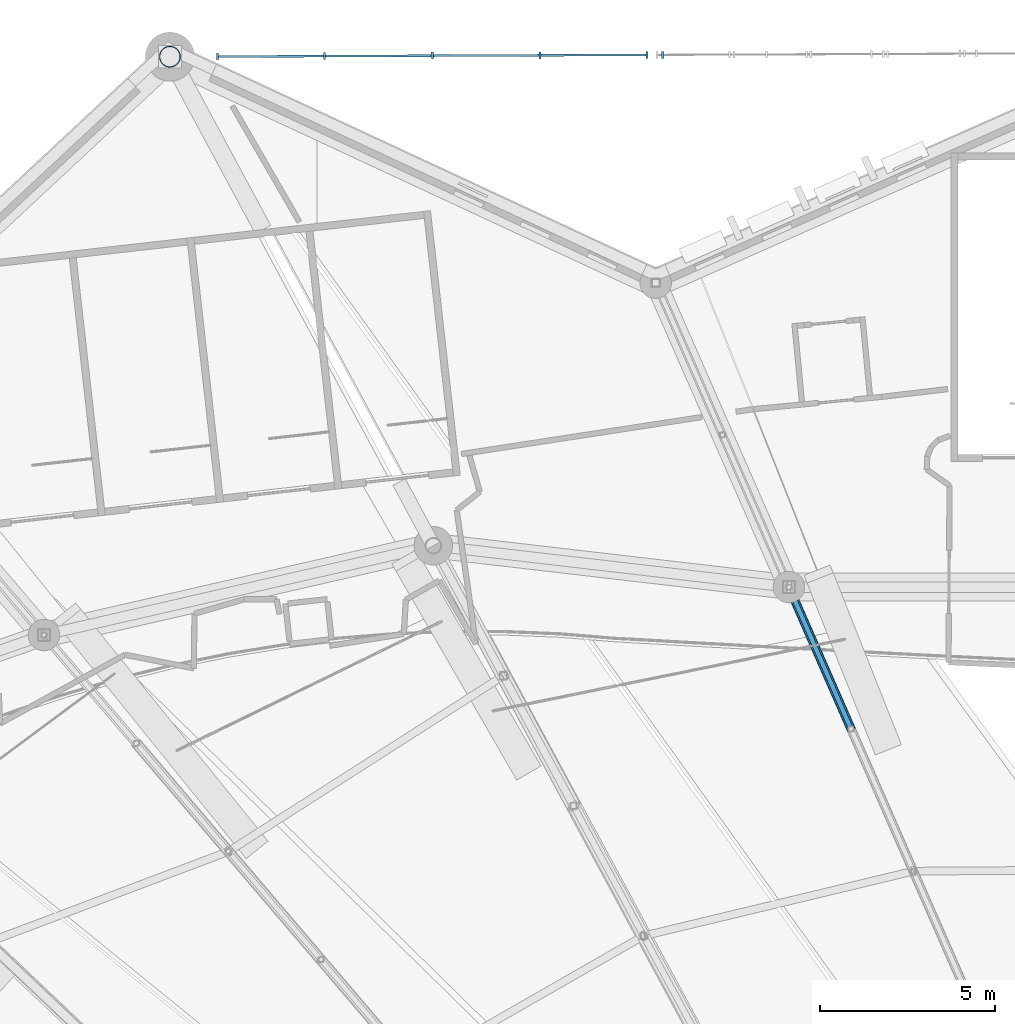
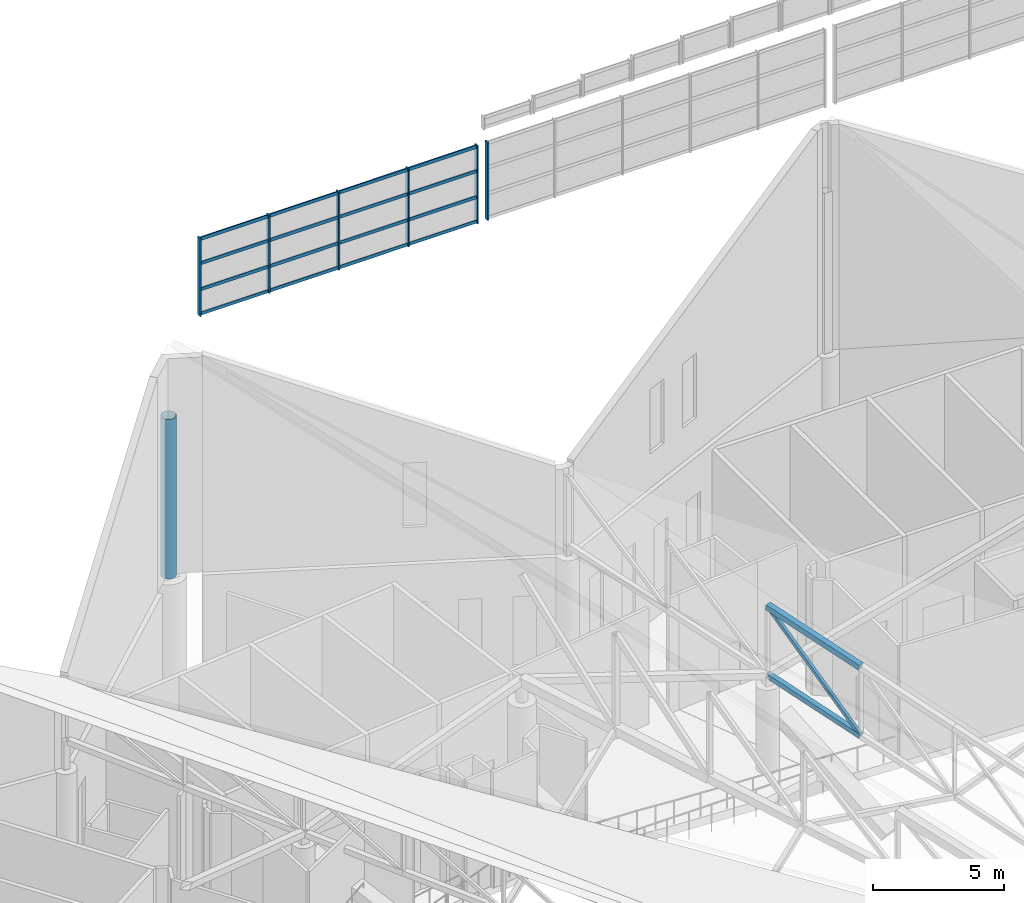
# One storey, part 162 of 344: 26 members, 2 elements without a shape of their own.
"""IFC4 building model written with IfcOpenShell, lengths in metres."""

from ifc_helpers import new_model, si_unit, direction, frame, origin, origin_2d, place, context, subcontext, project, spatial, rectangle, hollow_rectangle, hollow_circle, extrude, material, layer, layer_set, material_profile, profile_set, type_object, element, aggregate, save


model = new_model("IFC4")

# Units and contexts
model_context = context("Model", 3, precision=1e-05, world=origin(), true_north=direction((0.0, 1.0)))
body_context = subcontext(model_context, "Body", "Model", "MODEL_VIEW")
ifc_project = project(units=[si_unit("LENGTHUNIT", "METRE"), si_unit("AREAUNIT", "SQUARE_METRE"), si_unit("VOLUMEUNIT", "CUBIC_METRE"), si_unit("PLANEANGLEUNIT", "RADIAN"), si_unit("MASSUNIT", "GRAM", prefix="KILO")], contexts=[model_context])

# Site, building, storey
site_placement = place(None, origin())
site = spatial("IfcSite", under=ifc_project, at=site_placement, CompositionType="ELEMENT")
building_placement = place(site_placement, origin())
building = spatial("IfcBuilding", under=site, at=building_placement, Name="Meseta Stadium", CompositionType="ELEMENT")
storey_placement = place(building_placement, frame((0.0, 0.0, 24.0)))
storey = spatial("IfcBuildingStorey", under=building, at=storey_placement, Name="L04", CompositionType="ELEMENT", Elevation=24.0)

# Member
ifc_material_1 = material(Name="Steel S355", Category="steel")
ifc_material_profile_1 = material_profile(ifc_material_1, hollow_circle(Radius=0.304931640625, WallThickness=0.02490234375, at=origin_2d()), Name="CHS 610x25")
ifc_profile_set_1 = profile_set([ifc_material_profile_1], Name="Steel S355")
member_type_1 = type_object("IfcMemberType", Name="CHS 610x25 pylon post", PredefinedType="POST", material=ifc_profile_set_1)
member_1_placement = place(storey_placement, frame((-52.202880859375, 105.0517578125, 6.0), z_axis=(0.0, 0.0, 1.0), x_axis=(1.0, 0.0, 0.0)))
element("IfcMember", 1, at=member_1_placement, inside=storey, type_object=member_type_1, Name="GABLE ARCH GA-N pylon post", PredefinedType="POST", context=body_context, shape_type="SweptSolid", body=[
    extrude(hollow_circle(Radius=0.304931640625, WallThickness=0.02490234375, at=origin_2d()), origin(), (0.0, 0.0, 1.0), 7.433837890625),
])

# Curtain wall, member
ifc_material_2 = material(Name="Aluminium", Category="aluminium")
ifc_layer = layer(ifc_material_2, 0.199951171875)
ifc_layer_set = layer_set([ifc_layer], Name="Gable glazing curtain wall")
curtain_wall_type = type_object("IfcCurtainWallType", Name="Gable glazing curtain wall", PredefinedType="NOTDEFINED", material=ifc_layer_set)
curtain_wall_1_placement = place(storey_placement, origin())
curtain_wall_1 = element("IfcCurtainWall", 2, at=curtain_wall_1_placement, inside=storey, type_object=curtain_wall_type, Name="Gable glazing north lower bay 05", PredefinedType="NOTDEFINED")
ifc_material_3 = material(Name="Aluminium", Category="aluminium")
ifc_material_profile_2 = material_profile(ifc_material_3, rectangle(XDim=0.199951171875, YDim=0.06005859375, at=origin_2d()), Name="CW 200x60")
ifc_profile_set_2 = profile_set([ifc_material_profile_2], Name="Aluminium")
member_type_2 = type_object("IfcMemberType", Name="CW mullion 60x200", PredefinedType="MULLION", material=ifc_profile_set_2)
member_2_placement = place(storey_placement, frame((-38.1328125, 105.105712890625, 17.60009765625), z_axis=(0.0, 0.0, 1.0), x_axis=(0.003847534216, -0.999992598213, 0.0)))
member_2 = element("IfcMember", 3, at=member_2_placement, type_object=member_type_2, Name="CWG mullion 6", PredefinedType="MULLION", context=body_context, shape_type="SweptSolid", body=[
    extrude(rectangle(XDim=0.199951171875, YDim=0.06005859375, at=origin_2d()), origin(), (0.0, 0.0, 1.0), 3.635009765625),
])
aggregate(curtain_wall_1, [member_2])

# Curtain wall, members
curtain_wall_2_placement = place(storey_placement, origin())
curtain_wall_2 = element("IfcCurtainWall", 4, at=curtain_wall_2_placement, inside=storey, type_object=curtain_wall_type, Name="Gable glazing north lower bay 06", PredefinedType="NOTDEFINED")
member_3_placement = place(storey_placement, frame((-38.583740234375, 105.10400390625, 17.60009765625), z_axis=(0.0, 0.0, 1.0), x_axis=(0.003847534233, -0.999992598213, 0.0)))
member_3 = element("IfcMember", 5, at=member_3_placement, type_object=member_type_2, Name="CWG mullion 1", PredefinedType="MULLION", context=body_context, shape_type="SweptSolid", body=[
    extrude(rectangle(XDim=0.199951171875, YDim=0.06005859375, at=origin_2d()), origin(), (0.0, 0.0, 1.0), 3.635009765625),
])
member_4_placement = place(storey_placement, frame((-41.633056640625, 105.09228515625, 17.60009765625), z_axis=(0.0, 0.0, 1.0), x_axis=(0.003847534233, -0.999992598213, 0.0)))
member_4 = element("IfcMember", 6, at=member_4_placement, type_object=member_type_2, Name="CWG mullion 2", PredefinedType="MULLION", context=body_context, shape_type="SweptSolid", body=[
    extrude(rectangle(XDim=0.199951171875, YDim=0.06005859375, at=origin_2d()), origin(), (0.0, 0.0, 1.0), 3.635009765625),
])
member_5_placement = place(storey_placement, frame((-44.71240234375, 105.08056640625, 17.60009765625), z_axis=(0.0, 0.0, 1.0), x_axis=(0.003847534233, -0.999992598213, 0.0)))
member_5 = element("IfcMember", 7, at=member_5_placement, type_object=member_type_2, Name="CWG mullion 3", PredefinedType="MULLION", context=body_context, shape_type="SweptSolid", body=[
    extrude(rectangle(XDim=0.199951171875, YDim=0.06005859375, at=origin_2d()), origin(), (0.0, 0.0, 1.0), 3.635009765625),
])
member_6_placement = place(storey_placement, frame((-47.79150390625, 105.068603515625, 17.60009765625), z_axis=(0.0, 0.0, 1.0), x_axis=(0.003847534233, -0.999992598213, 0.0)))
member_6 = element("IfcMember", 8, at=member_6_placement, type_object=member_type_2, Name="CWG mullion 4", PredefinedType="MULLION", context=body_context, shape_type="SweptSolid", body=[
    extrude(rectangle(XDim=0.199951171875, YDim=0.06005859375, at=origin_2d()), origin(), (0.0, 0.0, 1.0), 3.635009765625),
])
member_7_placement = place(storey_placement, frame((-50.8408203125, 105.056884765625, 17.60009765625), z_axis=(0.0, 0.0, 1.0), x_axis=(0.003847534233, -0.999992598213, 0.0)))
member_7 = element("IfcMember", 9, at=member_7_placement, type_object=member_type_2, Name="CWG mullion 5", PredefinedType="MULLION", context=body_context, shape_type="SweptSolid", body=[
    extrude(rectangle(XDim=0.199951171875, YDim=0.06005859375, at=origin_2d()), origin(), (0.0, 0.0, 1.0), 3.635009765625),
])
ifc_material_4 = material(Name="Aluminium", Category="aluminium")
ifc_material_profile_3 = material_profile(ifc_material_4, rectangle(XDim=0.06005859375, YDim=0.14990234375, at=origin_2d()), Name="CW 60x150")
ifc_profile_set_3 = profile_set([ifc_material_profile_3], Name="Aluminium")
member_type_3 = type_object("IfcMemberType", Name="CW transom 60x150", PredefinedType="USERDEFINED", material=ifc_profile_set_3)
member_8_placement = place(storey_placement, frame((-38.61376953125, 105.10400390625, 17.675048828125), z_axis=(-0.9999926326, -0.003838586551, 0.0), x_axis=(0.003838586551, -0.9999926326, 0.0)))
member_8 = element("IfcMember", 10, at=member_8_placement, type_object=member_type_3, Name="CWG transom 1.1", ObjectType="TRANSOM", PredefinedType="USERDEFINED", context=body_context, shape_type="SweptSolid", body=[
    extrude(rectangle(XDim=0.06005859375, YDim=0.14990234375, at=origin_2d()), origin(), (0.0, 0.0, 1.0), 2.9892578125),
])
member_9_placement = place(storey_placement, frame((-38.61376953125, 105.10400390625, 18.811767578125), z_axis=(-0.9999926326, -0.003838586551, 0.0), x_axis=(0.003838586551, -0.9999926326, 0.0)))
member_9 = element("IfcMember", 11, at=member_9_placement, type_object=member_type_3, Name="CWG transom 1.2", ObjectType="TRANSOM", PredefinedType="USERDEFINED", context=body_context, shape_type="SweptSolid", body=[
    extrude(rectangle(XDim=0.06005859375, YDim=0.14990234375, at=origin_2d()), origin(), (0.0, 0.0, 1.0), 2.9892578125),
])
member_10_placement = place(storey_placement, frame((-38.61376953125, 105.10400390625, 20.0234375), z_axis=(-0.9999926326, -0.003838586551, 0.0), x_axis=(0.003838586551, -0.9999926326, 0.0)))
member_10 = element("IfcMember", 12, at=member_10_placement, type_object=member_type_3, Name="CWG transom 1.3", ObjectType="TRANSOM", PredefinedType="USERDEFINED", context=body_context, shape_type="SweptSolid", body=[
    extrude(rectangle(XDim=0.06005859375, YDim=0.14990234375, at=origin_2d()), origin(), (0.0, 0.0, 1.0), 2.9892578125),
])
member_11_placement = place(storey_placement, frame((-38.61376953125, 105.10400390625, 21.159912109375), z_axis=(-0.9999926326, -0.003838586551, 0.0), x_axis=(0.003838586551, -0.9999926326, 0.0)))
member_11 = element("IfcMember", 13, at=member_11_placement, type_object=member_type_3, Name="CWG transom 1.4", ObjectType="TRANSOM", PredefinedType="USERDEFINED", context=body_context, shape_type="SweptSolid", body=[
    extrude(rectangle(XDim=0.06005859375, YDim=0.14990234375, at=origin_2d()), origin(), (0.0, 0.0, 1.0), 2.9892578125),
])
member_12_placement = place(storey_placement, frame((-41.6630859375, 105.09228515625, 17.675048828125), z_axis=(-0.999992467852, -0.003881267766, 0.0), x_axis=(0.003881267766, -0.999992467852, 0.0)))
member_12 = element("IfcMember", 14, at=member_12_placement, type_object=member_type_3, Name="CWG transom 2.1", ObjectType="TRANSOM", PredefinedType="USERDEFINED", context=body_context, shape_type="SweptSolid", body=[
    extrude(rectangle(XDim=0.06005859375, YDim=0.14990234375, at=origin_2d()), origin(), (0.0, 0.0, 1.0), 3.019287109375),
])
member_13_placement = place(storey_placement, frame((-41.6630859375, 105.09228515625, 18.811767578125), z_axis=(-0.999992467852, -0.003881267766, 0.0), x_axis=(0.003881267766, -0.999992467852, 0.0)))
member_13 = element("IfcMember", 15, at=member_13_placement, type_object=member_type_3, Name="CWG transom 2.2", ObjectType="TRANSOM", PredefinedType="USERDEFINED", context=body_context, shape_type="SweptSolid", body=[
    extrude(rectangle(XDim=0.06005859375, YDim=0.14990234375, at=origin_2d()), origin(), (0.0, 0.0, 1.0), 3.019287109375),
])
member_14_placement = place(storey_placement, frame((-41.6630859375, 105.09228515625, 20.0234375), z_axis=(-0.999992467852, -0.003881267766, 0.0), x_axis=(0.003881267766, -0.999992467852, 0.0)))
member_14 = element("IfcMember", 16, at=member_14_placement, type_object=member_type_3, Name="CWG transom 2.3", ObjectType="TRANSOM", PredefinedType="USERDEFINED", context=body_context, shape_type="SweptSolid", body=[
    extrude(rectangle(XDim=0.06005859375, YDim=0.14990234375, at=origin_2d()), origin(), (0.0, 0.0, 1.0), 3.019287109375),
])
member_15_placement = place(storey_placement, frame((-41.6630859375, 105.09228515625, 21.159912109375), z_axis=(-0.999992467852, -0.003881267766, 0.0), x_axis=(0.003881267766, -0.999992467852, 0.0)))
member_15 = element("IfcMember", 17, at=member_15_placement, type_object=member_type_3, Name="CWG transom 2.4", ObjectType="TRANSOM", PredefinedType="USERDEFINED", context=body_context, shape_type="SweptSolid", body=[
    extrude(rectangle(XDim=0.06005859375, YDim=0.14990234375, at=origin_2d()), origin(), (0.0, 0.0, 1.0), 3.019287109375),
])
member_16_placement = place(storey_placement, frame((-44.742431640625, 105.080322265625, 17.675048828125), z_axis=(-0.999992777251, -0.003800716524, 0.0), x_axis=(0.003800716524, -0.999992777251, 0.0)))
member_16 = element("IfcMember", 18, at=member_16_placement, type_object=member_type_3, Name="CWG transom 3.1", ObjectType="TRANSOM", PredefinedType="USERDEFINED", context=body_context, shape_type="SweptSolid", body=[
    extrude(rectangle(XDim=0.06005859375, YDim=0.14990234375, at=origin_2d()), origin(), (0.0, 0.0, 1.0), 3.01904296875),
])
member_17_placement = place(storey_placement, frame((-44.742431640625, 105.080322265625, 18.811767578125), z_axis=(-0.999992777251, -0.003800716524, 0.0), x_axis=(0.003800716524, -0.999992777251, 0.0)))
member_17 = element("IfcMember", 19, at=member_17_placement, type_object=member_type_3, Name="CWG transom 3.2", ObjectType="TRANSOM", PredefinedType="USERDEFINED", context=body_context, shape_type="SweptSolid", body=[
    extrude(rectangle(XDim=0.06005859375, YDim=0.14990234375, at=origin_2d()), origin(), (0.0, 0.0, 1.0), 3.01904296875),
])
member_18_placement = place(storey_placement, frame((-44.742431640625, 105.080322265625, 20.0234375), z_axis=(-0.999992777251, -0.003800716524, 0.0), x_axis=(0.003800716524, -0.999992777251, 0.0)))
member_18 = element("IfcMember", 20, at=member_18_placement, type_object=member_type_3, Name="CWG transom 3.3", ObjectType="TRANSOM", PredefinedType="USERDEFINED", context=body_context, shape_type="SweptSolid", body=[
    extrude(rectangle(XDim=0.06005859375, YDim=0.14990234375, at=origin_2d()), origin(), (0.0, 0.0, 1.0), 3.01904296875),
])
member_19_placement = place(storey_placement, frame((-44.742431640625, 105.080322265625, 21.159912109375), z_axis=(-0.999992777251, -0.003800716524, 0.0), x_axis=(0.003800716524, -0.999992777251, 0.0)))
member_19 = element("IfcMember", 21, at=member_19_placement, type_object=member_type_3, Name="CWG transom 3.4", ObjectType="TRANSOM", PredefinedType="USERDEFINED", context=body_context, shape_type="SweptSolid", body=[
    extrude(rectangle(XDim=0.06005859375, YDim=0.14990234375, at=origin_2d()), origin(), (0.0, 0.0, 1.0), 3.01904296875),
])
member_20_placement = place(storey_placement, frame((-47.821533203125, 105.068603515625, 17.675048828125), z_axis=(-0.9999926326, -0.003838586551, 0.0), x_axis=(0.003838586551, -0.9999926326, 0.0)))
member_20 = element("IfcMember", 22, at=member_20_placement, type_object=member_type_3, Name="CWG transom 4.1", ObjectType="TRANSOM", PredefinedType="USERDEFINED", context=body_context, shape_type="SweptSolid", body=[
    extrude(rectangle(XDim=0.06005859375, YDim=0.14990234375, at=origin_2d()), origin(), (0.0, 0.0, 1.0), 2.9892578125),
])
member_21_placement = place(storey_placement, frame((-47.821533203125, 105.068603515625, 18.811767578125), z_axis=(-0.9999926326, -0.003838586551, 0.0), x_axis=(0.003838586551, -0.9999926326, 0.0)))
member_21 = element("IfcMember", 23, at=member_21_placement, type_object=member_type_3, Name="CWG transom 4.2", ObjectType="TRANSOM", PredefinedType="USERDEFINED", context=body_context, shape_type="SweptSolid", body=[
    extrude(rectangle(XDim=0.06005859375, YDim=0.14990234375, at=origin_2d()), origin(), (0.0, 0.0, 1.0), 2.9892578125),
])
member_22_placement = place(storey_placement, frame((-47.821533203125, 105.068603515625, 20.0234375), z_axis=(-0.9999926326, -0.003838586551, 0.0), x_axis=(0.003838586551, -0.9999926326, 0.0)))
member_22 = element("IfcMember", 24, at=member_22_placement, type_object=member_type_3, Name="CWG transom 4.3", ObjectType="TRANSOM", PredefinedType="USERDEFINED", context=body_context, shape_type="SweptSolid", body=[
    extrude(rectangle(XDim=0.06005859375, YDim=0.14990234375, at=origin_2d()), origin(), (0.0, 0.0, 1.0), 2.9892578125),
])
member_23_placement = place(storey_placement, frame((-47.821533203125, 105.068603515625, 21.159912109375), z_axis=(-0.9999926326, -0.003838586551, 0.0), x_axis=(0.003838586551, -0.9999926326, 0.0)))
member_23 = element("IfcMember", 25, at=member_23_placement, type_object=member_type_3, Name="CWG transom 4.4", ObjectType="TRANSOM", PredefinedType="USERDEFINED", context=body_context, shape_type="SweptSolid", body=[
    extrude(rectangle(XDim=0.06005859375, YDim=0.14990234375, at=origin_2d()), origin(), (0.0, 0.0, 1.0), 2.9892578125),
])
aggregate(curtain_wall_2, [member_3, member_4, member_5, member_6, member_7, member_8, member_9, member_10, member_11, member_12, member_13, member_14, member_15, member_16, member_17, member_18, member_19, member_20, member_21, member_22, member_23])

# Members
ifc_material_5 = material(Name="Steel S355", Category="steel")
ifc_material_profile_4 = material_profile(ifc_material_5, hollow_rectangle(XDim=0.139892578125, YDim=0.139892578125, WallThickness=0.0048828125, at=origin_2d()), Name="SHS 140x140x5")
ifc_profile_set_4 = profile_set([ifc_material_profile_4], Name="Steel S355")
member_type_4 = type_object("IfcMemberType", Name="SHS 140x140x5 diagonal", PredefinedType="BRACE", material=ifc_profile_set_4)
member_24_placement = place(storey_placement, frame((-32.755615234375, 85.85595703125, 3.33935546875), z_axis=(-0.290918020478, 0.664698263541, 0.688144551534), x_axis=(-0.916100374083, -0.400949004993, 0.0)))
element("IfcMember", 26, at=member_24_placement, inside=storey, type_object=member_type_4, Name="ROOF TRUSS RT-21 diagonal", PredefinedType="BRACE", context=body_context, shape_type="SweptSolid", body=[
    extrude(hollow_rectangle(XDim=0.139892578125, YDim=0.139892578125, WallThickness=0.0048828125, at=origin_2d()), origin(), (0.0, 0.0, 1.0), 6.101806640625),
])
ifc_material_6 = material(Name="Steel S355", Category="steel")
ifc_material_profile_5 = material_profile(ifc_material_6, hollow_rectangle(XDim=0.219970703125, YDim=0.219970703125, WallThickness=0.008056640625, at=origin_2d()), Name="SHS 220x220x8")
ifc_profile_set_5 = profile_set([ifc_material_profile_5], Name="Steel S355")
member_type_5 = type_object("IfcMemberType", Name="SHS 220x220x8 bottom chord", PredefinedType="CHORD", material=ifc_profile_set_5)
member_25_placement = place(storey_placement, frame((-32.755615234375, 85.85595703125, 3.33935546875), z_axis=(-0.391120077987, 0.893642945345, 0.220062197641), x_axis=(-0.916100374083, -0.400949004993, 0.0)))
element("IfcMember", 27, at=member_25_placement, inside=storey, type_object=member_type_5, Name="ROOF TRUSS RT-21 bottom chord", PredefinedType="CHORD", context=body_context, shape_type="SweptSolid", body=[
    extrude(hollow_rectangle(XDim=0.219970703125, YDim=0.219970703125, WallThickness=0.008056640625, at=origin_2d()), origin(), (0.0, 0.0, 1.0), 4.53857421875),
])
ifc_material_7 = material(Name="Steel S355", Category="steel")
ifc_material_profile_6 = material_profile(ifc_material_7, hollow_rectangle(XDim=0.25, YDim=0.25, WallThickness=0.010009765625, at=origin_2d()), Name="SHS 250x250x10")
ifc_profile_set_6 = profile_set([ifc_material_profile_6], Name="Steel S355")
member_type_6 = type_object("IfcMemberType", Name="SHS 250x250x10 top chord", PredefinedType="CHORD", material=ifc_profile_set_6)
member_26_placement = place(storey_placement, frame((-32.755615234375, 85.85595703125, 6.539306640625), z_axis=(-0.391115447605, 0.893632365707, 0.220113383523), x_axis=(-0.916100374083, -0.400949004993, 0.0)))
element("IfcMember", 28, at=member_26_placement, inside=storey, type_object=member_type_6, Name="ROOF TRUSS RT-21 top chord", PredefinedType="CHORD", context=body_context, shape_type="SweptSolid", body=[
    extrude(hollow_rectangle(XDim=0.25, YDim=0.25, WallThickness=0.010009765625, at=origin_2d()), origin(), (0.0, 0.0, 1.0), 4.53857421875),
])

save(model, "model.ifc")
